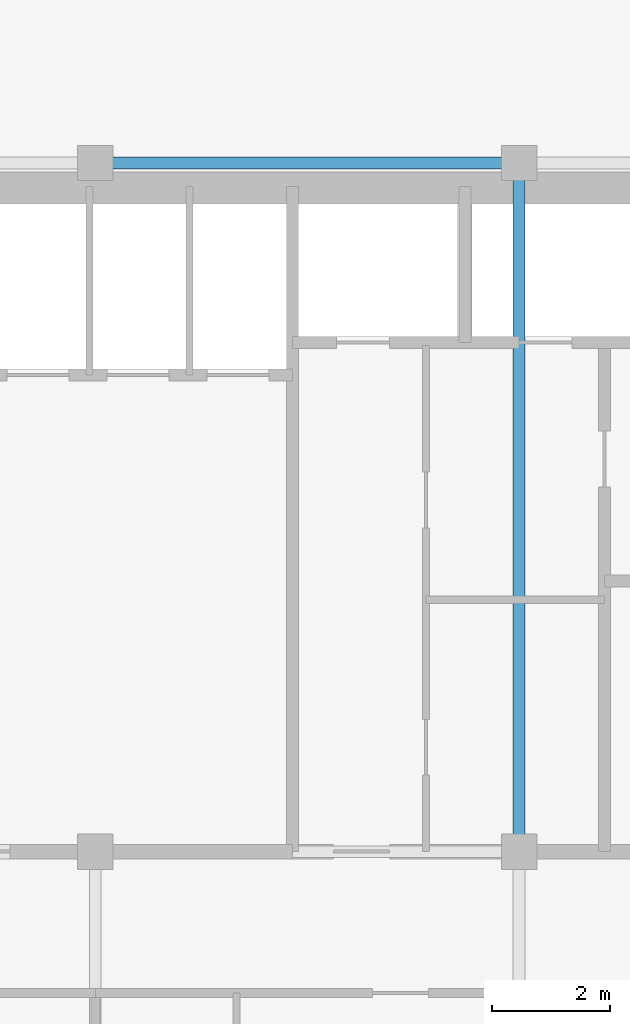
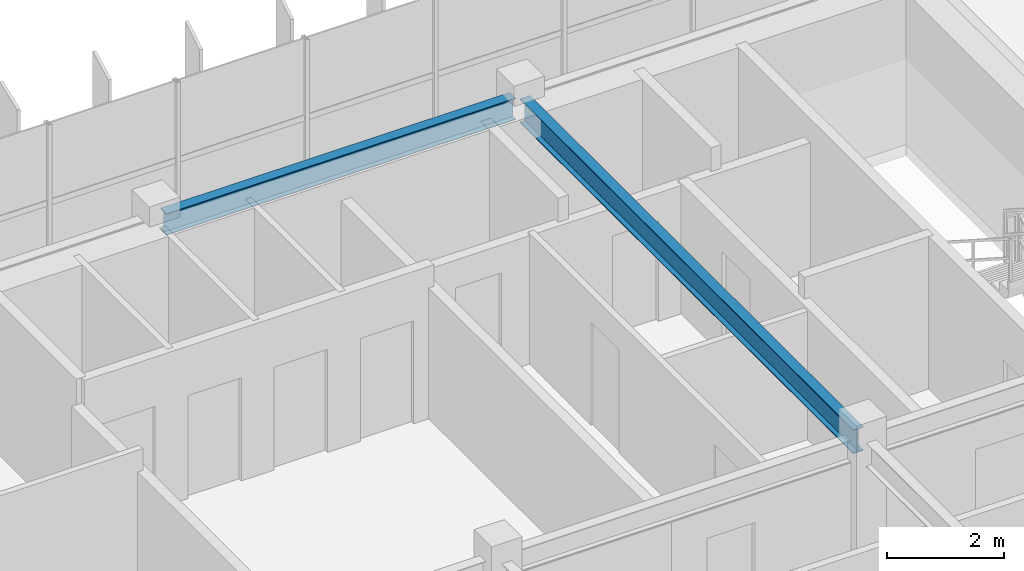
# One storey, part 14 of 26: 2 beams.
"""IFC4 building model written with IfcOpenShell, lengths in metres."""

from ifc_helpers import new_model, si_unit, direction, frame, origin, origin_2d, place, context, subcontext, project, spatial, i_section, extrude, source, transform, mapped, material, material_profile, profile_set, type_object, element, save


model = new_model("IFC4")

# Units and contexts
model_context = context("Model", 3, precision=1e-05, world=origin(), true_north=direction((0.0, 1.0)))
body_context = subcontext(model_context, "Body", "Model", "MODEL_VIEW")
ifc_project = project(units=[si_unit("LENGTHUNIT", "METRE"), si_unit("AREAUNIT", "SQUARE_METRE"), si_unit("VOLUMEUNIT", "CUBIC_METRE"), si_unit("PLANEANGLEUNIT", "RADIAN"), si_unit("MASSUNIT", "GRAM", prefix="KILO")], contexts=[model_context])

# Site, building, storey
site_placement = place(None, origin())
site = spatial("IfcSite", under=ifc_project, at=site_placement, CompositionType="ELEMENT")
building_placement = place(site_placement, origin())
building = spatial("IfcBuilding", under=site, at=building_placement, Name="Trelvane Seafront Commons", CompositionType="ELEMENT")
storey_placement = place(building_placement, frame((0.0, 0.0, 291.89990234375)))
storey = spatial("IfcBuildingStorey", under=building, at=storey_placement, Name="L76", CompositionType="ELEMENT", Elevation=291.89990234375)

# Beams
ifc_material = material(Name="Steel SM355 (S355)", Category="steel")
ifc_material_profile_1 = material_profile(ifc_material, i_section(OverallWidth=0.199951171875, OverallDepth=0.5, WebThickness=0.010009765625, FlangeThickness=0.01611328125, at=origin_2d()), Name="H-500x200x10x16")
ifc_profile_set_1 = profile_set([ifc_material_profile_1], Name="Steel SM355 (S355)")
beam_type_1 = type_object("IfcBeamType", Name="STR-BM-H500", PredefinedType="BEAM", material=ifc_profile_set_1)
shared_shape_1 = source(origin(), body_context, "Body", "SweptSolid", [
    extrude(i_section(OverallWidth=0.199951171875, OverallDepth=0.5, WebThickness=0.010009765625, FlangeThickness=0.01611328125, at=origin_2d()), origin(), (0.0, 0.0, 1.0), 11.39990234375),
])
beam_1_placement = place(storey_placement, frame((51.0, 33.550048828125, 2.93017578125), z_axis=(0.0, 1.0, 0.0), x_axis=(-1.0, 0.0, 0.0)))
element("IfcBeam", 1, at=beam_1_placement, inside=storey, type_object=beam_type_1, Name="L76 Primary Girder G-46", PredefinedType="BEAM", context=body_context, shape_type="MappedRepresentation", body=[
    mapped(shared_shape_1, transform((0.0, 0.0, 0.0), x_axis=(1.0, 0.0, 0.0), y_axis=(0.0, 1.0, 0.0), z_axis=(0.0, 0.0, 1.0), scale=1.0)),
])
ifc_material_profile_2 = material_profile(ifc_material, i_section(OverallWidth=0.199951171875, OverallDepth=0.449951171875, WebThickness=0.009033203125, FlangeThickness=0.013916015625, at=origin_2d()), Name="H-450x200x9x14")
ifc_profile_set_2 = profile_set([ifc_material_profile_2], Name="Steel SM355 (S355)")
beam_type_2 = type_object("IfcBeamType", Name="STR-SPD-H450", PredefinedType="SPANDREL", material=ifc_profile_set_2)
shared_shape_2 = source(origin(), body_context, "Body", "SweptSolid", [
    extrude(i_section(OverallWidth=0.199951171875, OverallDepth=0.449951171875, WebThickness=0.009033203125, FlangeThickness=0.013916015625, at=origin_2d()), origin(), (0.0, 0.0, 1.0), 6.900146484375),
])
beam_2_placement = place(storey_placement, frame((43.949951171875, 45.10009765625, 2.955078125), z_axis=(1.0, 0.0, 0.0), x_axis=(0.0, 1.0, 0.0)))
element("IfcBeam", 2, at=beam_2_placement, inside=storey, type_object=beam_type_2, Name="L76 Primary Girder G-26", PredefinedType="SPANDREL", context=body_context, shape_type="MappedRepresentation", body=[
    mapped(shared_shape_2, transform((0.0, 0.0, 0.0), x_axis=(1.0, 0.0, 0.0), y_axis=(0.0, 1.0, 0.0), z_axis=(0.0, 0.0, 1.0), scale=1.0)),
])

save(model, "model.ifc")
